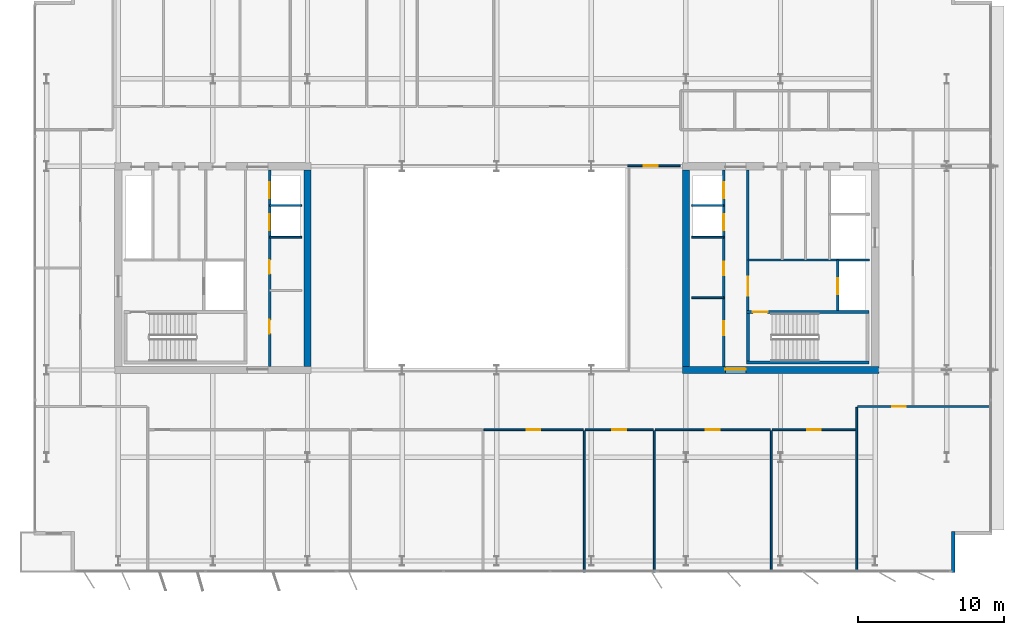
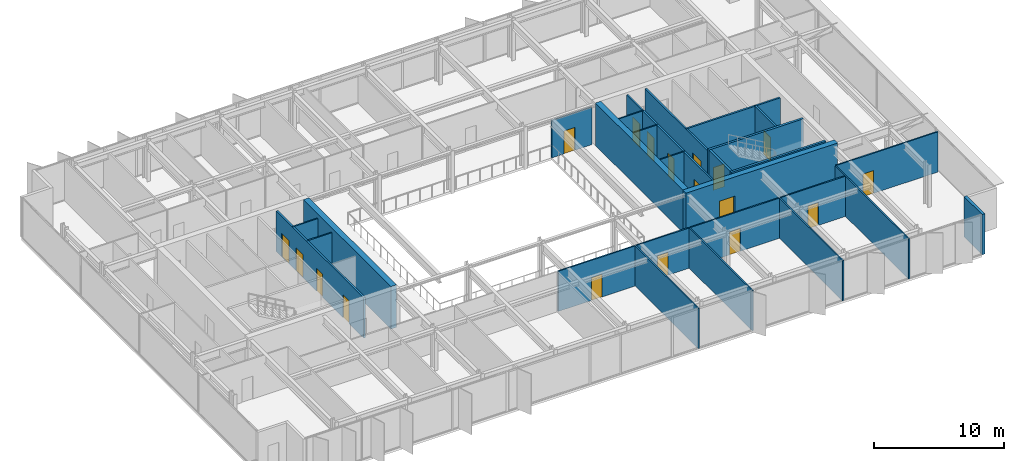
# One storey, part 14 of 20: 27 walls, 18 doors, 18 openings.
"""IFC4 building model written with IfcOpenShell, lengths in metres."""

from ifc_helpers import new_model, si_unit, direction, frame, frame_2d, origin, place, context, subcontext, project, spatial, rectangle, extrude, material, layer, layer_set, type_object, element, fill, save


model = new_model("IFC4")

# Units and contexts
model_context = context("Model", 3, precision=1e-05, world=origin(), true_north=direction((0.0, 1.0)))
body_context = subcontext(model_context, "Body", "Model", "MODEL_VIEW")
ifc_project = project(units=[si_unit("LENGTHUNIT", "METRE"), si_unit("AREAUNIT", "SQUARE_METRE"), si_unit("VOLUMEUNIT", "CUBIC_METRE"), si_unit("PLANEANGLEUNIT", "RADIAN"), si_unit("MASSUNIT", "GRAM", prefix="KILO")], contexts=[model_context])

# Site, building, storey
site_placement = place(None, origin())
site = spatial("IfcSite", under=ifc_project, at=site_placement, CompositionType="ELEMENT")
building_placement = place(site_placement, origin())
building = spatial("IfcBuilding", under=site, at=building_placement, Name="Putna Gate Headquarters", CompositionType="ELEMENT")
storey_placement = place(building_placement, frame((0.0, 0.0, 286.39990234375)))
storey = spatial("IfcBuildingStorey", under=building, at=storey_placement, Name="L72", CompositionType="ELEMENT", Elevation=286.39990234375)

# Wall
ifc_material_1 = material(Name="Concrete C50/60", Category="concrete")
ifc_layer_1 = layer(ifc_material_1, 0.5)
ifc_layer_set_1 = layer_set([ifc_layer_1], Name="Concrete C50/60")
wall_type_1 = type_object("IfcWallType", Name="WALL-CORE-500", PredefinedType="SHEAR", material=ifc_layer_set_1)
wall_1_placement = place(storey_placement, frame((26.0, 19.25, 0.0), z_axis=(0.0, 0.0, 1.0), x_axis=(0.0, 1.0, 0.0)))
element("IfcWall", 1, at=wall_1_placement, inside=storey, type_object=wall_type_1, Name="L72 WC Split Core Shear Wall E", PredefinedType="SHEAR", context=body_context, shape_type="SweptSolid", body=[
    extrude(rectangle(XDim=13.5, YDim=0.5, at=frame_2d((6.75, 0.0))), origin(), (0.0, 0.0, 1.0), 4.0),
])

# Wall, opening, door
wall_2_placement = place(storey_placement, frame((51.75, 19.0, 0.0), z_axis=(0.0, 0.0, 1.0), x_axis=(1.0, 0.0, 0.0)))
wall_2 = element("IfcWall", 2, at=wall_2_placement, inside=storey, type_object=wall_type_1, Name="L72 EC Split Core Shear Wall S", PredefinedType="SHEAR", context=body_context, shape_type="SweptSolid", body=[
    extrude(rectangle(XDim=13.5, YDim=0.5, at=frame_2d((6.75, 0.0))), origin(), (0.0, 0.0, 1.0), 4.0),
])
opening_1_placement = place(wall_2_placement, frame((2.969970703125, 0.0, 0.0)))
opening_1 = element("IfcOpeningElement", 3, at=opening_1_placement, cuts=wall_2, Name="Opening FDD-140", PredefinedType="OPENING", context=body_context, shape_type="SweptSolid", body=[
    extrude(rectangle(XDim=1.39990234375, YDim=2.199951171875, at=frame_2d((0.699951171875, 1.10009765625))), frame((0.0, 0.260009765625, 0.0), z_axis=(0.0, -1.0, 0.0), x_axis=(1.0, 0.0, 0.0)), (0.0, 0.0, 1.0), 0.52001953125),
])
ifc_material_2 = material(Name="Double steel fire door", Category="steel")
door_type_1 = type_object("IfcDoorType", Name="DOOR-FIRE-DBL-1400", OperationType="DOUBLE_DOOR_SINGLE_SWING", PredefinedType="DOOR", material=ifc_material_2)
door_1_placement = place(opening_1_placement, origin())
door_1 = element("IfcDoor", 4, at=door_1_placement, inside=storey, type_object=door_type_1, Name="L72 East Lift Lobby South Door", OperationType="DOUBLE_DOOR_SINGLE_SWING", OverallHeight=2.199951171875, OverallWidth=1.39990234375, PredefinedType="DOOR", context=body_context, shape_type="SweptSolid", body=[
    extrude(rectangle(XDim=1.39990234375, YDim=2.199951171875, at=frame_2d((0.699951171875, 1.10009765625))), frame((0.0, 0.0751953125, 0.0), z_axis=(0.0, -1.0, 0.0), x_axis=(1.0, 0.0, 0.0)), (0.0, 0.0, 1.0), 0.050048828125),
])
fill(opening_1, door_1)

# Walls
wall_3_placement = place(storey_placement, frame((52.0, 19.25, 0.0), z_axis=(0.0, 0.0, 1.0), x_axis=(0.0, 1.0, 0.0)))
element("IfcWall", 5, at=wall_3_placement, inside=storey, type_object=wall_type_1, Name="L72 EC Split Core Shear Wall W", PredefinedType="SHEAR", context=body_context, shape_type="SweptSolid", body=[
    extrude(rectangle(XDim=13.5, YDim=0.5, at=frame_2d((6.75, 0.0))), origin(), (0.0, 0.0, 1.0), 4.0),
])
ifc_material_3 = material(Name="Precast concrete C40/50", Category="concrete")
ifc_layer_2 = layer(ifc_material_3, 0.239990234375)
ifc_layer_set_2 = layer_set([ifc_layer_2], Name="Precast concrete C40/50")
wall_type_2 = type_object("IfcWallType", Name="WALL-EXT-TERR-240", PredefinedType="STANDARD", material=ifc_layer_set_2)
wall_4_placement = place(storey_placement, frame((70.35498046875, 7.89990234375, 0.0), z_axis=(0.0, 0.0, 1.0), x_axis=(0.0, -1.0, 0.0)))
element("IfcWall", 6, at=wall_4_placement, inside=storey, type_object=wall_type_2, Name="L72 Corner Notch Return Wall SE-V", PredefinedType="STANDARD", context=body_context, shape_type="SweptSolid", body=[
    extrude(rectangle(XDim=2.7998046875, YDim=0.239990234375, at=frame_2d((1.39990234375, 0.0))), origin(), (0.0, 0.0, 1.0), 3.7880859375),
])

# Wall, opening, door
ifc_material_4 = material(Name="Acoustic gypsum board on metal stud")
ifc_layer_3 = layer(ifc_material_4, 0.1201171875)
ifc_layer_set_3 = layer_set([ifc_layer_3], Name="Acoustic gypsum board on metal stud")
wall_type_3 = type_object("IfcWallType", Name="WALL-PART-120", PredefinedType="PARTITIONING", material=ifc_layer_set_3)
wall_5_placement = place(storey_placement, frame((48.0, 33.0400390625, 0.0), z_axis=(0.0, 0.0, 1.0), x_axis=(1.0, 0.0, 0.0)))
wall_5 = element("IfcWall", 7, at=wall_5_placement, inside=storey, type_object=wall_type_3, Name="L72 Interior Wall PART-L72-ATR-E-N", PredefinedType="PARTITIONING", context=body_context, shape_type="SweptSolid", body=[
    extrude(rectangle(XDim=3.60009765625, YDim=0.1201171875, at=frame_2d((1.800048828125, 0.0))), origin(), (0.0, 0.0, 1.0), 3.528076171875),
])
opening_2_placement = place(wall_5_placement, frame((1.10009765625, 0.0, 0.0)))
opening_2 = element("IfcOpeningElement", 8, at=opening_2_placement, cuts=wall_5, Name="Opening ID-95", PredefinedType="OPENING", context=body_context, shape_type="SweptSolid", body=[
    extrude(rectangle(XDim=0.949951171875, YDim=2.14990234375, at=frame_2d((0.47509765625, 1.074951171875))), frame((0.0, 0.070068359375, 0.0), z_axis=(0.0, -1.0, 0.0), x_axis=(1.0, 0.0, 0.0)), (0.0, 0.0, 1.0), 0.14013671875),
])
ifc_material_5 = material(Name="Veneered acoustic timber door", Category="wood")
door_type_2 = type_object("IfcDoorType", Name="DOOR-OFF-950", OperationType="NOTDEFINED", PredefinedType="DOOR", material=ifc_material_5)
door_2_placement = place(opening_2_placement, origin())
door_2 = element("IfcDoor", 9, at=door_2_placement, inside=storey, type_object=door_type_2, Name="L72 East Sky Atrium Lounge Door", OperationType="SINGLE_SWING_LEFT", OverallHeight=2.14990234375, OverallWidth=0.949951171875, PredefinedType="DOOR", context=body_context, shape_type="SweptSolid", body=[
    extrude(rectangle(XDim=0.949951171875, YDim=2.14990234375, at=frame_2d((0.47509765625, 1.074951171875))), frame((0.0, 0.02490234375, 0.0), z_axis=(0.0, -1.0, 0.0), x_axis=(1.0, 0.0, 0.0)), (0.0, 0.0, 1.0), 0.050048828125),
])
fill(opening_2, door_2)

# Walls
for number, where, z_axis, x_axis, name in (
    (10, (45.01513671875, 5.1201171875, 0.0), (0.0, 0.0, 1.0), (0.0, 1.0, 0.0), "L72 Interior Wall PART-L72-SB-DIV-05"),
    (11, (49.821044921875, 5.1201171875, 0.0), (0.0, 0.0, 1.0), (0.0, 1.0, 0.0), "L72 Interior Wall PART-L72-SB-DIV-06"),
    (12, (57.861328125, 5.1201171875, 0.0), (0.0, 0.0, 1.0), (0.0, 1.0, 0.0), "L72 Interior Wall PART-L72-SB-DIV-07"),
):
    element("IfcWall", number, at=place(storey_placement, frame(where, z_axis=z_axis, x_axis=x_axis)), inside=storey, type_object=wall_type_3, Name=name, PredefinedType="PARTITIONING", context=body_context, shape_type="SweptSolid", body=[
        extrude(rectangle(XDim=9.719970703125, YDim=0.1201171875, at=frame_2d((4.85986328125, 0.0))), origin(), (0.0, 0.0, 1.0), 3.7880859375),
    ])
wall_6_placement = place(storey_placement, frame((63.740966796875, 5.1201171875, 0.0), z_axis=(0.0, 0.0, 1.0), x_axis=(0.0, 1.0, 0.0)))
element("IfcWall", 13, at=wall_6_placement, inside=storey, type_object=wall_type_3, Name="L72 Interior Wall PART-L72-SB-DIV-08", PredefinedType="PARTITIONING", context=body_context, shape_type="SweptSolid", body=[
    extrude(rectangle(XDim=11.31982421875, YDim=0.1201171875, at=frame_2d((5.659912109375, 0.0))), origin(), (0.0, 0.0, 1.0), 3.7880859375),
])
ifc_material_6 = material(Name="Fire-rated shaftwall gypsum board on metal stud")
ifc_layer_4 = layer(ifc_material_6, 0.1201171875)
ifc_layer_set_4 = layer_set([ifc_layer_4], Name="Fire-rated shaftwall gypsum board on metal stud")
wall_type_4 = type_object("IfcWallType", Name="WALL-PART-120-EI120", PredefinedType="PARTITIONING", material=ifc_layer_set_4)
for number, where, z_axis, x_axis, name in (
    (14, (23.39990234375, 30.31005859375, 0.0), (0.0, 0.0, 1.0), (1.0, 0.0, 0.0), "L72 Interior Wall CWINT-L72-WC-LF09-DIV"),
    (15, (52.39990234375, 30.31005859375, 0.0), (0.0, 0.0, 1.0), (1.0, 0.0, 0.0), "L72 Interior Wall CWINT-L72-EC-LF11-DIV"),
):
    element("IfcWall", number, at=place(storey_placement, frame(where, z_axis=z_axis, x_axis=x_axis)), inside=storey, type_object=wall_type_4, Name=name, PredefinedType="PARTITIONING", context=body_context, shape_type="SweptSolid", body=[
        extrude(rectangle(XDim=2.2001953125, YDim=0.1201171875, at=frame_2d((1.10009765625, 0.0))), origin(), (0.0, 0.0, 1.0), 3.7880859375),
    ])
ifc_material_7 = material(Name="Fire-rated gypsum board on metal stud")
ifc_layer_5 = layer(ifc_material_7, 0.1201171875)
ifc_layer_set_5 = layer_set([ifc_layer_5], Name="Fire-rated gypsum board on metal stud")
wall_type_5 = type_object("IfcWallType", Name="WALL-PART-120-RATED", PredefinedType="PARTITIONING", material=ifc_layer_set_5)
for number, where, z_axis, x_axis, name in (
    (16, (23.39990234375, 28.1201171875, 0.0), (0.0, 0.0, 1.0), (1.0, 0.0, 0.0), "L72 Interior Wall CWINT-L72-WC-LF06-DIV"),
    (17, (52.39990234375, 23.969970703125, 0.0), (0.0, 0.0, 1.0), (1.0, 0.0, 0.0), "L72 Interior Wall CWINT-L72-EC-REUSE-DIV"),
    (18, (52.39990234375, 28.1201171875, 0.0), (0.0, 0.0, 1.0), (1.0, 0.0, 0.0), "L72 Interior Wall CWINT-L72-EC-LF08-DIV"),
):
    element("IfcWall", number, at=place(storey_placement, frame(where, z_axis=z_axis, x_axis=x_axis)), inside=storey, type_object=wall_type_5, Name=name, PredefinedType="PARTITIONING", context=body_context, shape_type="SweptSolid", body=[
        extrude(rectangle(XDim=2.2001953125, YDim=0.1201171875, at=frame_2d((1.10009765625, 0.0))), origin(), (0.0, 0.0, 1.0), 3.7880859375),
    ])

# Wall, opening, door
wall_7_placement = place(storey_placement, frame((38.114990234375, 14.89990234375, 0.0), z_axis=(0.0, 0.0, 1.0), x_axis=(1.0, 0.0, 0.0)))
wall_7 = element("IfcWall", 19, at=wall_7_placement, inside=storey, type_object=wall_type_5, Name="L72 Interior Wall PART-L72-SB-CW-05", PredefinedType="PARTITIONING", context=body_context, shape_type="SweptSolid", body=[
    extrude(rectangle(XDim=6.840087890625, YDim=0.1201171875, at=frame_2d((3.419921875, 0.0))), origin(), (0.0, 0.0, 1.0), 3.7880859375),
])
opening_3_placement = place(wall_7_placement, frame((2.945068359375, 0.0, 0.0)))
opening_3 = element("IfcOpeningElement", 20, at=opening_3_placement, cuts=wall_7, Name="Opening FD-95", PredefinedType="OPENING", context=body_context, shape_type="SweptSolid", body=[
    extrude(rectangle(XDim=0.949951171875, YDim=2.14990234375, at=frame_2d((0.47509765625, 1.074951171875))), frame((0.0, 0.070068359375, 0.0), z_axis=(0.0, -1.0, 0.0), x_axis=(1.0, 0.0, 0.0)), (0.0, 0.0, 1.0), 0.14013671875),
])
ifc_material_8 = material(Name="Acoustic timber fire door", Category="wood")
door_type_3 = type_object("IfcDoorType", Name="DOOR-FIRE-950", OperationType="NOTDEFINED", PredefinedType="DOOR", material=ifc_material_8)
door_3_placement = place(opening_3_placement, origin())
door_3 = element("IfcDoor", 21, at=door_3_placement, inside=storey, type_object=door_type_3, Name="L72 Conference Meeting Room 5 Door", OperationType="SINGLE_SWING_LEFT", OverallHeight=2.14990234375, OverallWidth=0.949951171875, PredefinedType="DOOR", context=body_context, shape_type="SweptSolid", body=[
    extrude(rectangle(XDim=0.949951171875, YDim=2.14990234375, at=frame_2d((0.47509765625, 1.074951171875))), frame((0.0, 0.02490234375, 0.0), z_axis=(0.0, -1.0, 0.0), x_axis=(1.0, 0.0, 0.0)), (0.0, 0.0, 1.0), 0.050048828125),
])
fill(opening_3, door_3)

wall_8_placement = place(storey_placement, frame((45.0751953125, 14.89990234375, 0.0), z_axis=(0.0, 0.0, 1.0), x_axis=(1.0, 0.0, 0.0)))
wall_8 = element("IfcWall", 22, at=wall_8_placement, inside=storey, type_object=wall_type_5, Name="L72 Interior Wall PART-L72-SB-CW-06", PredefinedType="PARTITIONING", context=body_context, shape_type="SweptSolid", body=[
    extrude(rectangle(XDim=4.685791015625, YDim=0.1201171875, at=frame_2d((2.3427734375, 0.0))), origin(), (0.0, 0.0, 1.0), 3.7880859375),
])
opening_4_placement = place(wall_8_placement, frame((1.867919921875, 0.0, 0.0)))
opening_4 = element("IfcOpeningElement", 23, at=opening_4_placement, cuts=wall_8, Name="Opening FD-95", PredefinedType="OPENING", context=body_context, shape_type="SweptSolid", body=[
    extrude(rectangle(XDim=0.949951171875, YDim=2.14990234375, at=frame_2d((0.47509765625, 1.074951171875))), frame((0.0, 0.070068359375, 0.0), z_axis=(0.0, -1.0, 0.0), x_axis=(1.0, 0.0, 0.0)), (0.0, 0.0, 1.0), 0.14013671875),
])
door_4_placement = place(opening_4_placement, origin())
door_4 = element("IfcDoor", 24, at=door_4_placement, inside=storey, type_object=door_type_3, Name="L72 Conference Meeting Room 6 Door", OperationType="SINGLE_SWING_RIGHT", OverallHeight=2.14990234375, OverallWidth=0.949951171875, PredefinedType="DOOR", context=body_context, shape_type="SweptSolid", body=[
    extrude(rectangle(XDim=0.949951171875, YDim=2.14990234375, at=frame_2d((0.47509765625, 1.074951171875))), frame((0.0, 0.02490234375, 0.0), z_axis=(0.0, -1.0, 0.0), x_axis=(1.0, 0.0, 0.0)), (0.0, 0.0, 1.0), 0.050048828125),
])
fill(opening_4, door_4)

wall_9_placement = place(storey_placement, frame((49.881103515625, 14.89990234375, 0.0), z_axis=(0.0, 0.0, 1.0), x_axis=(1.0, 0.0, 0.0)))
wall_9 = element("IfcWall", 25, at=wall_9_placement, inside=storey, type_object=wall_type_5, Name="L72 Interior Wall PART-L72-SB-CW-07", PredefinedType="PARTITIONING", context=body_context, shape_type="SweptSolid", body=[
    extrude(rectangle(XDim=7.920166015625, YDim=0.1201171875, at=frame_2d((3.9599609375, 0.0))), origin(), (0.0, 0.0, 1.0), 3.7880859375),
])
opening_5_placement = place(wall_9_placement, frame((3.485107421875, 0.0, 0.0)))
opening_5 = element("IfcOpeningElement", 26, at=opening_5_placement, cuts=wall_9, Name="Opening FD-95", PredefinedType="OPENING", context=body_context, shape_type="SweptSolid", body=[
    extrude(rectangle(XDim=0.949951171875, YDim=2.14990234375, at=frame_2d((0.47509765625, 1.074951171875))), frame((0.0, 0.070068359375, 0.0), z_axis=(0.0, -1.0, 0.0), x_axis=(1.0, 0.0, 0.0)), (0.0, 0.0, 1.0), 0.14013671875),
])
door_5_placement = place(opening_5_placement, origin())
door_5 = element("IfcDoor", 27, at=door_5_placement, inside=storey, type_object=door_type_3, Name="L72 Collaborative Breakout Lounge 1 Door", OperationType="SINGLE_SWING_LEFT", OverallHeight=2.14990234375, OverallWidth=0.949951171875, PredefinedType="DOOR", context=body_context, shape_type="SweptSolid", body=[
    extrude(rectangle(XDim=0.949951171875, YDim=2.14990234375, at=frame_2d((0.47509765625, 1.074951171875))), frame((0.0, 0.02490234375, 0.0), z_axis=(0.0, -1.0, 0.0), x_axis=(1.0, 0.0, 0.0)), (0.0, 0.0, 1.0), 0.050048828125),
])
fill(opening_5, door_5)

wall_10_placement = place(storey_placement, frame((57.92138671875, 14.89990234375, 0.0), z_axis=(0.0, 0.0, 1.0), x_axis=(1.0, 0.0, 0.0)))
wall_10 = element("IfcWall", 28, at=wall_10_placement, inside=storey, type_object=wall_type_5, Name="L72 Interior Wall PART-L72-SB-CW-08", PredefinedType="PARTITIONING", context=body_context, shape_type="SweptSolid", body=[
    extrude(rectangle(XDim=5.759521484375, YDim=0.1201171875, at=frame_2d((2.8798828125, 0.0))), origin(), (0.0, 0.0, 1.0), 3.7880859375),
])
opening_6_placement = place(wall_10_placement, frame((2.40478515625, 0.0, 0.0)))
opening_6 = element("IfcOpeningElement", 29, at=opening_6_placement, cuts=wall_10, Name="Opening FD-95", PredefinedType="OPENING", context=body_context, shape_type="SweptSolid", body=[
    extrude(rectangle(XDim=0.949951171875, YDim=2.14990234375, at=frame_2d((0.47509765625, 1.074951171875))), frame((0.0, 0.070068359375, 0.0), z_axis=(0.0, -1.0, 0.0), x_axis=(1.0, 0.0, 0.0)), (0.0, 0.0, 1.0), 0.14013671875),
])
door_6_placement = place(opening_6_placement, origin())
door_6 = element("IfcDoor", 30, at=door_6_placement, inside=storey, type_object=door_type_3, Name="L72 Collaborative Breakout Lounge 2 Door", OperationType="SINGLE_SWING_RIGHT", OverallHeight=2.14990234375, OverallWidth=0.949951171875, PredefinedType="DOOR", context=body_context, shape_type="SweptSolid", body=[
    extrude(rectangle(XDim=0.949951171875, YDim=2.14990234375, at=frame_2d((0.47509765625, 1.074951171875))), frame((0.0, 0.02490234375, 0.0), z_axis=(0.0, -1.0, 0.0), x_axis=(1.0, 0.0, 0.0)), (0.0, 0.0, 1.0), 0.050048828125),
])
fill(opening_6, door_6)

wall_11_placement = place(storey_placement, frame((63.801025390625, 16.5, 0.0), z_axis=(0.0, 0.0, 1.0), x_axis=(1.0, 0.0, 0.0)))
wall_11 = element("IfcWall", 31, at=wall_11_placement, inside=storey, type_object=wall_type_5, Name="L72 Interior Wall PART-L72-SB-CW-09", PredefinedType="PARTITIONING", context=body_context, shape_type="SweptSolid", body=[
    extrude(rectangle(XDim=9.053955078125, YDim=0.1201171875, at=frame_2d((4.52685546875, 0.0))), origin(), (0.0, 0.0, 1.0), 3.7880859375),
])
opening_7_placement = place(wall_11_placement, frame((2.368896484375, 0.0, 0.0)))
opening_7 = element("IfcOpeningElement", 32, at=opening_7_placement, cuts=wall_11, Name="Opening FD-95", PredefinedType="OPENING", context=body_context, shape_type="SweptSolid", body=[
    extrude(rectangle(XDim=0.949951171875, YDim=2.14990234375, at=frame_2d((0.47509765625, 1.074951171875))), frame((0.0, 0.070068359375, 0.0), z_axis=(0.0, -1.0, 0.0), x_axis=(1.0, 0.0, 0.0)), (0.0, 0.0, 1.0), 0.14013671875),
])
door_7_placement = place(opening_7_placement, origin())
door_7 = element("IfcDoor", 33, at=door_7_placement, inside=storey, type_object=door_type_3, Name="L72 Cellular Office 2 Door", OperationType="SINGLE_SWING_LEFT", OverallHeight=2.14990234375, OverallWidth=0.949951171875, PredefinedType="DOOR", context=body_context, shape_type="SweptSolid", body=[
    extrude(rectangle(XDim=0.949951171875, YDim=2.14990234375, at=frame_2d((0.47509765625, 1.074951171875))), frame((0.0, 0.02490234375, 0.0), z_axis=(0.0, -1.0, 0.0), x_axis=(1.0, 0.0, 0.0)), (0.0, 0.0, 1.0), 0.050048828125),
])
fill(opening_7, door_7)

# Wall, openings, doors
ifc_material_9 = material(Name="Concrete C40/50", Category="concrete")
ifc_layer_6 = layer(ifc_material_9, 0.159912109375)
ifc_layer_set_6 = layer_set([ifc_layer_6], Name="Concrete C40/50")
wall_type_6 = type_object("IfcWallType", Name="WALL-SHAFT-160", PredefinedType="STANDARD", material=ifc_layer_set_6)
wall_12_placement = place(storey_placement, frame((23.39990234375, 19.25, 0.0), z_axis=(0.0, 0.0, 1.0), x_axis=(0.0, 1.0, 0.0)))
wall_12 = element("IfcWall", 34, at=wall_12_placement, inside=storey, type_object=wall_type_6, Name="L72 Interior Wall CWINT-L72-WC-PL-WALL", PredefinedType="STANDARD", context=body_context, shape_type="SweptSolid", body=[
    extrude(rectangle(XDim=13.5, YDim=0.159912109375, at=frame_2d((6.75, 0.0))), origin(), (0.0, 0.0, 1.0), 3.7880859375),
])
opening_8_placement = place(wall_12_placement, frame((2.25, 0.0, 0.0)))
opening_8 = element("IfcOpeningElement", 35, at=opening_8_placement, cuts=wall_12, Name="Opening IDS-95", PredefinedType="OPENING", context=body_context, shape_type="SweptSolid", body=[
    extrude(rectangle(XDim=0.949951171875, YDim=2.14990234375, at=frame_2d((0.47509765625, 1.074951171875))), frame((0.0, 0.08984375, 0.0), z_axis=(0.0, -1.0, 0.0), x_axis=(1.0, 0.0, 0.0)), (0.0, 0.0, 1.0), 0.179931640625),
])
opening_9_placement = place(wall_12_placement, frame((6.35009765625, 0.0, 0.0)))
opening_9 = element("IfcOpeningElement", 36, at=opening_9_placement, cuts=wall_12, Name="Opening IDS-95", PredefinedType="OPENING", context=body_context, shape_type="SweptSolid", body=[
    extrude(rectangle(XDim=0.949951171875, YDim=2.14990234375, at=frame_2d((0.47509765625, 1.074951171875))), frame((0.0, 0.08984375, 0.0), z_axis=(0.0, -1.0, 0.0), x_axis=(1.0, 0.0, 0.0)), (0.0, 0.0, 1.0), 0.179931640625),
])
opening_10_placement = place(wall_12_placement, frame((9.35009765625, 0.0, 0.0)))
opening_10 = element("IfcOpeningElement", 37, at=opening_10_placement, cuts=wall_12, Name="Opening LD-1", PredefinedType="OPENING", context=body_context, shape_type="SweptSolid", body=[
    extrude(rectangle(XDim=1.10009765625, YDim=2.199951171875, at=frame_2d((0.550048828125, 1.10009765625))), frame((0.0, 0.08984375, 0.0), z_axis=(0.0, -1.0, 0.0), x_axis=(1.0, 0.0, 0.0)), (0.0, 0.0, 1.0), 0.179931640625),
])
opening_11_placement = place(wall_12_placement, frame((11.550048828125, 0.0, 0.0)))
opening_11 = element("IfcOpeningElement", 38, at=opening_11_placement, cuts=wall_12, Name="Opening LD-1", PredefinedType="OPENING", context=body_context, shape_type="SweptSolid", body=[
    extrude(rectangle(XDim=1.10009765625, YDim=2.199951171875, at=frame_2d((0.550048828125, 1.10009765625))), frame((0.0, 0.08984375, 0.0), z_axis=(0.0, -1.0, 0.0), x_axis=(1.0, 0.0, 0.0)), (0.0, 0.0, 1.0), 0.179931640625),
])
ifc_material_10 = material(Name="Fire-rated service timber door", Category="wood")
door_type_4 = type_object("IfcDoorType", Name="DOOR-INT-950", OperationType="NOTDEFINED", PredefinedType="DOOR", material=ifc_material_10)
door_8_placement = place(opening_8_placement, origin())
door_8 = element("IfcDoor", 39, at=door_8_placement, inside=storey, type_object=door_type_4, Name="L72 Tenant IT Hub Door", OperationType="SINGLE_SWING_LEFT", OverallHeight=2.14990234375, OverallWidth=0.949951171875, PredefinedType="DOOR", context=body_context, shape_type="SweptSolid", body=[
    extrude(rectangle(XDim=0.949951171875, YDim=2.14990234375, at=frame_2d((0.47509765625, 1.074951171875))), frame((0.0, 0.02490234375, 0.0), z_axis=(0.0, -1.0, 0.0), x_axis=(1.0, 0.0, 0.0)), (0.0, 0.0, 1.0), 0.050048828125),
])
fill(opening_8, door_8)
door_9_placement = place(opening_9_placement, origin())
door_9 = element("IfcDoor", 40, at=door_9_placement, inside=storey, type_object=door_type_4, Name="L72 Records Vault Door", OperationType="SINGLE_SWING_RIGHT", OverallHeight=2.14990234375, OverallWidth=0.949951171875, PredefinedType="DOOR", context=body_context, shape_type="SweptSolid", body=[
    extrude(rectangle(XDim=0.949951171875, YDim=2.14990234375, at=frame_2d((0.47509765625, 1.074951171875))), frame((0.0, 0.02490234375, 0.0), z_axis=(0.0, -1.0, 0.0), x_axis=(1.0, 0.0, 0.0)), (0.0, 0.0, 1.0), 0.050048828125),
])
fill(opening_9, door_9)
ifc_material_11 = material(Name="Brushed bronze stainless lift landing door")
door_type_5 = type_object("IfcDoorType", Name="DOOR-LIFT-1100", OperationType="DOUBLE_DOOR_SLIDING", PredefinedType="DOOR", material=ifc_material_11)
door_10_placement = place(opening_10_placement, origin())
door_10 = element("IfcDoor", 41, at=door_10_placement, inside=storey, type_object=door_type_5, Name="L72 Lift Landing Door LD-09", OperationType="DOUBLE_DOOR_SLIDING", OverallHeight=2.199951171875, OverallWidth=1.10009765625, PredefinedType="DOOR", context=body_context, shape_type="SweptSolid", body=[
    extrude(rectangle(XDim=1.10009765625, YDim=2.199951171875, at=frame_2d((0.550048828125, 1.10009765625))), frame((0.0, 0.02490234375, 0.0), z_axis=(0.0, -1.0, 0.0), x_axis=(1.0, 0.0, 0.0)), (0.0, 0.0, 1.0), 0.050048828125),
])
fill(opening_10, door_10)
door_11_placement = place(opening_11_placement, origin())
door_11 = element("IfcDoor", 42, at=door_11_placement, inside=storey, type_object=door_type_5, Name="L72 Lift Landing Door LD-10", OperationType="DOUBLE_DOOR_SLIDING", OverallHeight=2.199951171875, OverallWidth=1.10009765625, PredefinedType="DOOR", context=body_context, shape_type="SweptSolid", body=[
    extrude(rectangle(XDim=1.10009765625, YDim=2.199951171875, at=frame_2d((0.550048828125, 1.10009765625))), frame((0.0, 0.02490234375, 0.0), z_axis=(0.0, -1.0, 0.0), x_axis=(1.0, 0.0, 0.0)), (0.0, 0.0, 1.0), 0.050048828125),
])
fill(opening_11, door_11)

wall_13_placement = place(storey_placement, frame((54.60009765625, 19.25, 0.0), z_axis=(0.0, 0.0, 1.0), x_axis=(0.0, 1.0, 0.0)))
wall_13 = element("IfcWall", 43, at=wall_13_placement, inside=storey, type_object=wall_type_6, Name="L72 Interior Wall CWINT-L72-EC-PL-WALL", PredefinedType="STANDARD", context=body_context, shape_type="SweptSolid", body=[
    extrude(rectangle(XDim=13.5, YDim=0.159912109375, at=frame_2d((6.75, 0.0))), origin(), (0.0, 0.0, 1.0), 3.7880859375),
])
opening_12_placement = place(wall_13_placement, frame((2.14990234375, 0.0, 0.0)))
opening_12 = element("IfcOpeningElement", 44, at=opening_12_placement, cuts=wall_13, Name="Opening IDS-95", PredefinedType="OPENING", context=body_context, shape_type="SweptSolid", body=[
    extrude(rectangle(XDim=0.949951171875, YDim=2.14990234375, at=frame_2d((0.47509765625, 1.074951171875))), frame((0.0, 0.08984375, 0.0), z_axis=(0.0, -1.0, 0.0), x_axis=(1.0, 0.0, 0.0)), (0.0, 0.0, 1.0), 0.179931640625),
])
opening_13_placement = place(wall_13_placement, frame((6.25, 0.0, 0.0)))
opening_13 = element("IfcOpeningElement", 45, at=opening_13_placement, cuts=wall_13, Name="Opening IDS-95", PredefinedType="OPENING", context=body_context, shape_type="SweptSolid", body=[
    extrude(rectangle(XDim=0.949951171875, YDim=2.14990234375, at=frame_2d((0.47509765625, 1.074951171875))), frame((0.0, 0.08984375, 0.0), z_axis=(0.0, -1.0, 0.0), x_axis=(1.0, 0.0, 0.0)), (0.0, 0.0, 1.0), 0.179931640625),
])
opening_14_placement = place(wall_13_placement, frame((9.35009765625, 0.0, 0.0)))
opening_14 = element("IfcOpeningElement", 46, at=opening_14_placement, cuts=wall_13, Name="Opening LD-1", PredefinedType="OPENING", context=body_context, shape_type="SweptSolid", body=[
    extrude(rectangle(XDim=1.10009765625, YDim=2.199951171875, at=frame_2d((0.550048828125, 1.10009765625))), frame((0.0, 0.08984375, 0.0), z_axis=(0.0, -1.0, 0.0), x_axis=(1.0, 0.0, 0.0)), (0.0, 0.0, 1.0), 0.179931640625),
])
opening_15_placement = place(wall_13_placement, frame((11.550048828125, 0.0, 0.0)))
opening_15 = element("IfcOpeningElement", 47, at=opening_15_placement, cuts=wall_13, Name="Opening LD-1", PredefinedType="OPENING", context=body_context, shape_type="SweptSolid", body=[
    extrude(rectangle(XDim=1.10009765625, YDim=2.199951171875, at=frame_2d((0.550048828125, 1.10009765625))), frame((0.0, 0.08984375, 0.0), z_axis=(0.0, -1.0, 0.0), x_axis=(1.0, 0.0, 0.0)), (0.0, 0.0, 1.0), 0.179931640625),
])
door_12_placement = place(opening_12_placement, origin())
door_12 = element("IfcDoor", 48, at=door_12_placement, inside=storey, type_object=door_type_4, Name="L72 Executive Archive Door", OperationType="SINGLE_SWING_RIGHT", OverallHeight=2.14990234375, OverallWidth=0.949951171875, PredefinedType="DOOR", context=body_context, shape_type="SweptSolid", body=[
    extrude(rectangle(XDim=0.949951171875, YDim=2.14990234375, at=frame_2d((0.47509765625, 1.074951171875))), frame((0.0, 0.02490234375, 0.0), z_axis=(0.0, -1.0, 0.0), x_axis=(1.0, 0.0, 0.0)), (0.0, 0.0, 1.0), 0.050048828125),
])
fill(opening_12, door_12)
door_13_placement = place(opening_13_placement, origin())
door_13 = element("IfcDoor", 49, at=door_13_placement, inside=storey, type_object=door_type_4, Name="L72 Comms Distribution Door", OperationType="SINGLE_SWING_LEFT", OverallHeight=2.14990234375, OverallWidth=0.949951171875, PredefinedType="DOOR", context=body_context, shape_type="SweptSolid", body=[
    extrude(rectangle(XDim=0.949951171875, YDim=2.14990234375, at=frame_2d((0.47509765625, 1.074951171875))), frame((0.0, 0.02490234375, 0.0), z_axis=(0.0, -1.0, 0.0), x_axis=(1.0, 0.0, 0.0)), (0.0, 0.0, 1.0), 0.050048828125),
])
fill(opening_13, door_13)
door_14_placement = place(opening_14_placement, origin())
door_14 = element("IfcDoor", 50, at=door_14_placement, inside=storey, type_object=door_type_5, Name="L72 Lift Landing Door LD-11", OperationType="DOUBLE_DOOR_SLIDING", OverallHeight=2.199951171875, OverallWidth=1.10009765625, PredefinedType="DOOR", context=body_context, shape_type="SweptSolid", body=[
    extrude(rectangle(XDim=1.10009765625, YDim=2.199951171875, at=frame_2d((0.550048828125, 1.10009765625))), frame((0.0, 0.02490234375, 0.0), z_axis=(0.0, -1.0, 0.0), x_axis=(1.0, 0.0, 0.0)), (0.0, 0.0, 1.0), 0.050048828125),
])
fill(opening_14, door_14)
door_15_placement = place(opening_15_placement, origin())
door_15 = element("IfcDoor", 51, at=door_15_placement, inside=storey, type_object=door_type_5, Name="L72 Lift Landing Door LD-12", OperationType="DOUBLE_DOOR_SLIDING", OverallHeight=2.199951171875, OverallWidth=1.10009765625, PredefinedType="DOOR", context=body_context, shape_type="SweptSolid", body=[
    extrude(rectangle(XDim=1.10009765625, YDim=2.199951171875, at=frame_2d((0.550048828125, 1.10009765625))), frame((0.0, 0.02490234375, 0.0), z_axis=(0.0, -1.0, 0.0), x_axis=(1.0, 0.0, 0.0)), (0.0, 0.0, 1.0), 0.050048828125),
])
fill(opening_15, door_15)

# Wall, opening, door
wall_14_placement = place(storey_placement, frame((56.260009765625, 23.090087890625, 0.0), z_axis=(0.0, 0.0, 1.0), x_axis=(0.0, 1.0, 0.0)))
wall_14 = element("IfcWall", 52, at=wall_14_placement, inside=storey, type_object=wall_type_6, Name="L72 Interior Wall CWINT-L72-EC-LOB-E", PredefinedType="STANDARD", context=body_context, shape_type="SweptSolid", body=[
    extrude(rectangle(XDim=9.659912109375, YDim=0.159912109375, at=frame_2d((4.830078125, 0.0))), origin(), (0.0, 0.0, 1.0), 3.7880859375),
])
opening_16_placement = place(wall_14_placement, frame((1.010009765625, 0.0, 0.0)))
opening_16 = element("IfcOpeningElement", 53, at=opening_16_placement, cuts=wall_14, Name="Opening FDD-130", PredefinedType="OPENING", context=body_context, shape_type="SweptSolid", body=[
    extrude(rectangle(XDim=1.300048828125, YDim=2.199951171875, at=frame_2d((0.64990234375, 1.10009765625))), frame((0.0, 0.08984375, 0.0), z_axis=(0.0, -1.0, 0.0), x_axis=(1.0, 0.0, 0.0)), (0.0, 0.0, 1.0), 0.179931640625),
])
ifc_material_12 = material(Name="Double steel lobby fire door", Category="steel")
door_type_6 = type_object("IfcDoorType", Name="DOOR-FIRE-DBL-1300", OperationType="DOUBLE_DOOR_SINGLE_SWING", PredefinedType="DOOR", material=ifc_material_12)
door_16_placement = place(opening_16_placement, origin())
door_16 = element("IfcDoor", 54, at=door_16_placement, inside=storey, type_object=door_type_6, Name="L72 East Firefighting Lobby Door", OperationType="DOUBLE_DOOR_SINGLE_SWING", OverallHeight=2.199951171875, OverallWidth=1.300048828125, PredefinedType="DOOR", context=body_context, shape_type="SweptSolid", body=[
    extrude(rectangle(XDim=1.300048828125, YDim=2.199951171875, at=frame_2d((0.64990234375, 1.10009765625))), frame((0.0, 0.02490234375, 0.0), z_axis=(0.0, -1.0, 0.0), x_axis=(1.0, 0.0, 0.0)), (0.0, 0.0, 1.0), 0.050048828125),
])
fill(opening_16, door_16)

wall_15_placement = place(storey_placement, frame((62.429931640625, 23.090087890625, 0.0), z_axis=(0.0, 0.0, 1.0), x_axis=(0.0, 1.0, 0.0)))
wall_15 = element("IfcWall", 55, at=wall_15_placement, inside=storey, type_object=wall_type_6, Name="L72 Interior Wall CWINT-L72-EC-LF14-W", PredefinedType="STANDARD", context=body_context, shape_type="SweptSolid", body=[
    extrude(rectangle(XDim=3.469970703125, YDim=0.159912109375, at=frame_2d((1.73486328125, 0.0))), origin(), (0.0, 0.0, 1.0), 3.7880859375),
])
opening_17_placement = place(wall_15_placement, frame((1.10009765625, 0.0, 0.0)))
opening_17 = element("IfcOpeningElement", 56, at=opening_17_placement, cuts=wall_15, Name="Opening LD-1", PredefinedType="OPENING", context=body_context, shape_type="SweptSolid", body=[
    extrude(rectangle(XDim=1.10009765625, YDim=2.199951171875, at=frame_2d((0.550048828125, 1.10009765625))), frame((0.0, 0.08984375, 0.0), z_axis=(0.0, -1.0, 0.0), x_axis=(1.0, 0.0, 0.0)), (0.0, 0.0, 1.0), 0.179931640625),
])
door_17_placement = place(opening_17_placement, origin())
door_17 = element("IfcDoor", 57, at=door_17_placement, inside=storey, type_object=door_type_5, Name="L72 Lift Landing Door LD-14", OperationType="DOUBLE_DOOR_SLIDING", OverallHeight=2.199951171875, OverallWidth=1.10009765625, PredefinedType="DOOR", context=body_context, shape_type="SweptSolid", body=[
    extrude(rectangle(XDim=1.10009765625, YDim=2.199951171875, at=frame_2d((0.550048828125, 1.10009765625))), frame((0.0, 0.02490234375, 0.0), z_axis=(0.0, -1.0, 0.0), x_axis=(1.0, 0.0, 0.0)), (0.0, 0.0, 1.0), 0.050048828125),
])
fill(opening_17, door_17)

# Walls
wall_16_placement = place(storey_placement, frame((56.260009765625, 26.56005859375, 0.0), z_axis=(0.0, 0.0, 1.0), x_axis=(1.0, 0.0, 0.0)))
element("IfcWall", 58, at=wall_16_placement, inside=storey, type_object=wall_type_6, Name="L72 Interior Wall CWINT-L72-EC-FFL-N", PredefinedType="STANDARD", context=body_context, shape_type="SweptSolid", body=[
    extrude(rectangle(XDim=8.340087890625, YDim=0.159912109375, at=frame_2d((4.169921875, 0.0))), origin(), (0.0, 0.0, 1.0), 3.7880859375),
])
ifc_layer_7 = layer(ifc_material_9, 0.199951171875)
ifc_layer_set_7 = layer_set([ifc_layer_7], Name="Concrete C40/50")
wall_type_7 = type_object("IfcWallType", Name="WALL-SHAFT-RC200", PredefinedType="SHEAR", material=ifc_layer_set_7)
wall_17_placement = place(storey_placement, frame((56.159912109375, 19.510009765625, 0.0), z_axis=(0.0, 0.0, 1.0), x_axis=(1.0, 0.0, 0.0)))
element("IfcWall", 59, at=wall_17_placement, inside=storey, type_object=wall_type_7, Name="L72 Stair ST2 Structural Shaft Wall S", PredefinedType="SHEAR", context=body_context, shape_type="SweptSolid", body=[
    extrude(rectangle(XDim=8.43017578125, YDim=0.199951171875, at=frame_2d((4.215087890625, 0.0))), origin(), (0.0, 0.0, 1.0), 4.0),
])

# Wall, opening, door
wall_18_placement = place(storey_placement, frame((56.159912109375, 22.989990234375, 0.0), z_axis=(0.0, 0.0, 1.0), x_axis=(1.0, 0.0, 0.0)))
wall_18 = element("IfcWall", 60, at=wall_18_placement, inside=storey, type_object=wall_type_7, Name="L72 Stair ST2 Structural Shaft Wall N", PredefinedType="SHEAR", context=body_context, shape_type="SweptSolid", body=[
    extrude(rectangle(XDim=8.43017578125, YDim=0.199951171875, at=frame_2d((4.215087890625, 0.0))), origin(), (0.0, 0.0, 1.0), 4.0),
])
opening_18_placement = place(wall_18_placement, frame((0.449951171875, 0.0, 0.0)))
opening_18 = element("IfcOpeningElement", 61, at=opening_18_placement, cuts=wall_18, Name="Opening FD-100", PredefinedType="OPENING", context=body_context, shape_type="SweptSolid", body=[
    extrude(rectangle(XDim=1.0, YDim=2.14990234375, at=frame_2d((0.5, 1.074951171875))), frame((0.0, 0.10986328125, 0.0), z_axis=(0.0, -1.0, 0.0), x_axis=(1.0, 0.0, 0.0)), (0.0, 0.0, 1.0), 0.219970703125),
])
ifc_material_13 = material(Name="Powder-coated steel fire door", Category="steel")
door_type_7 = type_object("IfcDoorType", Name="DOOR-FIRE-1000", OperationType="NOTDEFINED", PredefinedType="DOOR", material=ifc_material_13)
door_18_placement = place(opening_18_placement, origin())
door_18 = element("IfcDoor", 62, at=door_18_placement, inside=storey, type_object=door_type_7, Name="L72 Stair ST2 Fire Door", OperationType="SINGLE_SWING_RIGHT", OverallHeight=2.14990234375, OverallWidth=1.0, PredefinedType="DOOR", context=body_context, shape_type="SweptSolid", body=[
    extrude(rectangle(XDim=1.0, YDim=2.14990234375, at=frame_2d((0.5, 1.074951171875))), frame((0.0, 0.02490234375, 0.0), z_axis=(0.0, -1.0, 0.0), x_axis=(1.0, 0.0, 0.0)), (0.0, 0.0, 1.0), 0.050048828125),
])
fill(opening_18, door_18)

# Wall
wall_19_placement = place(storey_placement, frame((56.260009765625, 19.610107421875, 0.0), z_axis=(0.0, 0.0, 1.0), x_axis=(0.0, 1.0, 0.0)))
element("IfcWall", 63, at=wall_19_placement, inside=storey, type_object=wall_type_7, Name="L72 Stair ST2 Structural Shaft Wall W", PredefinedType="SHEAR", context=body_context, shape_type="SweptSolid", body=[
    extrude(rectangle(XDim=3.27978515625, YDim=0.199951171875, at=frame_2d((1.639892578125, 0.0))), origin(), (0.0, 0.0, 1.0), 4.0),
])

save(model, "model.ifc")
